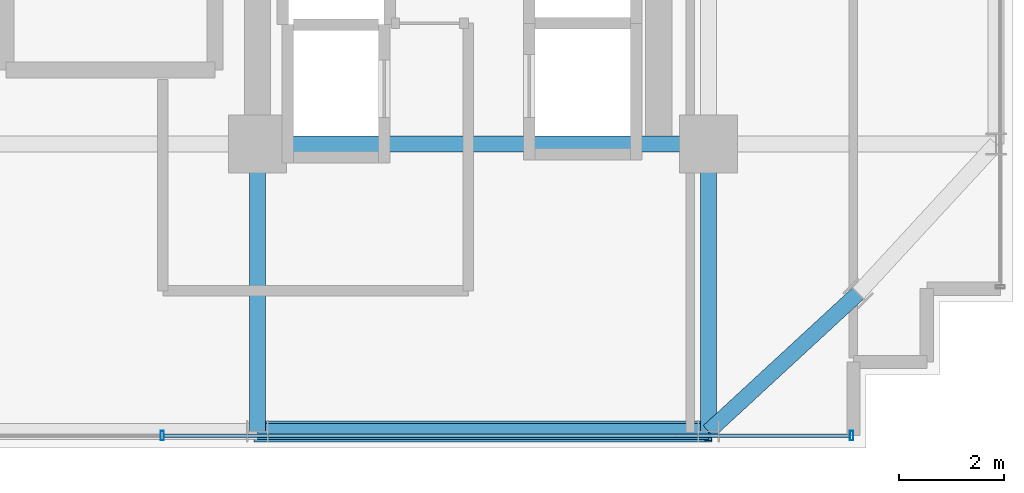
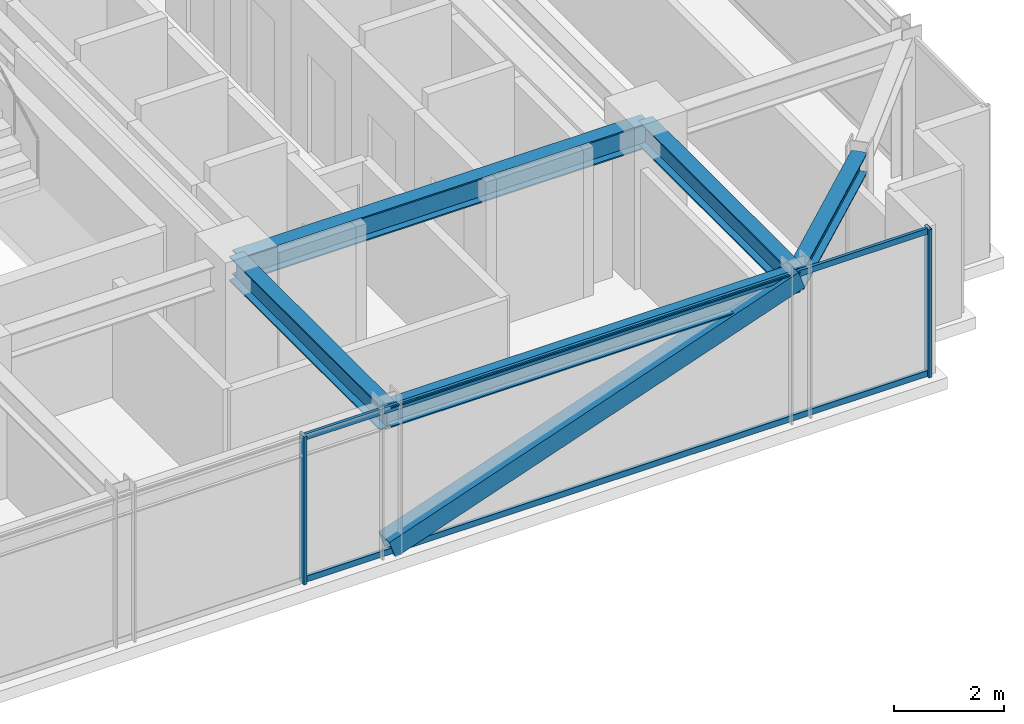
# One storey, part 10 of 32: 5 beams, 5 members, 1 element without a shape of its own.
"""IFC4 building model written with IfcOpenShell, lengths in metres."""

from ifc_helpers import new_model, si_unit, direction, frame, origin, origin_2d, place, context, subcontext, project, spatial, hollow_rectangle, i_section, extrude, source, transform, mapped, material, material_profile, profile_set, type_object, element, aggregate, save


model = new_model("IFC4")

# Units and contexts
model_context = context("Model", 3, precision=1e-05, world=origin(), true_north=direction((0.0, 1.0)))
body_context = subcontext(model_context, "Body", "Model", "MODEL_VIEW")
ifc_project = project(units=[si_unit("LENGTHUNIT", "METRE"), si_unit("AREAUNIT", "SQUARE_METRE"), si_unit("VOLUMEUNIT", "CUBIC_METRE"), si_unit("PLANEANGLEUNIT", "RADIAN"), si_unit("MASSUNIT", "GRAM", prefix="KILO")], contexts=[model_context])

# Site, building, storey
site_placement = place(None, origin())
site = spatial("IfcSite", under=ifc_project, at=site_placement, CompositionType="ELEMENT")
building_placement = place(site_placement, origin())
building = spatial("IfcBuilding", under=site, at=building_placement, Name="Nahalor Promenade Grand Hotel", CompositionType="ELEMENT")
storey_placement = place(building_placement, frame((0.0, 0.0, 196.449951171875)))
storey = spatial("IfcBuildingStorey", under=building, at=storey_placement, Name="L50", CompositionType="ELEMENT", Elevation=196.449951171875)

# Beams
ifc_material_1 = material(Name="Steel S355JR", Category="steel")
ifc_material_profile_1 = material_profile(ifc_material_1, i_section(OverallWidth=0.3, OverallDepth=0.55, WebThickness=0.015, FlangeThickness=0.029, at=origin_2d()), Name="HEB 550")
ifc_profile_set_1 = profile_set([ifc_material_profile_1], Name="Steel S355JR")
beam_type_1 = type_object("IfcBeamType", Name="Beam-Girder-HEB550", PredefinedType="BEAM", material=ifc_profile_set_1)
shared_shape_1 = source(origin(), body_context, "Body", "SweptSolid", [
    extrude(i_section(OverallWidth=0.3, OverallDepth=0.55, WebThickness=0.015, FlangeThickness=0.029, at=origin_2d()), origin(), (0.0, 0.0, 1.0), 8.60009765625),
])
beam_1_placement = place(storey_placement, frame((8.39990234375, -17.0, 3.01513671875), z_axis=(1.0, 0.0, 0.0), x_axis=(0.0, 1.0, 0.0)))
element("IfcBeam", 1, at=beam_1_placement, inside=storey, type_object=beam_type_1, Name="BM-L50-GX-0-5", PredefinedType="BEAM", context=body_context, shape_type="MappedRepresentation", body=[
    mapped(shared_shape_1, transform((0.0, 0.0, 0.0), scale=1.0)),
])
shared_shape_2 = source(origin(), body_context, "Body", "SweptSolid", [
    extrude(i_section(OverallWidth=0.3, OverallDepth=0.55, WebThickness=0.015, FlangeThickness=0.029, at=origin_2d()), origin(), (0.0, 0.0, 1.0), 5.47998046875),
])
for number, where, z_axis, x_axis, name in (
    (2, (8.39990234375, -22.47998046875, 3.01513671875), (0.0, 1.0, 0.0), (-1.0, 0.0, 0.0), "BM-L50-GY-4-0"),
    (3, (17.0, -22.47998046875, 3.01513671875), (0.0, 1.0, 0.0), (-1.0, 0.0, 0.0), "BM-L50-GY-5-0"),
):
    element("IfcBeam", number, at=place(storey_placement, frame(where, z_axis=z_axis, x_axis=x_axis)), inside=storey, type_object=beam_type_1, Name=name, PredefinedType="BEAM", context=body_context, shape_type="MappedRepresentation", body=[
        mapped(shared_shape_2, transform((0.0, 0.0, 0.0), scale=1.0)),
    ])
ifc_material_profile_2 = material_profile(ifc_material_1, i_section(OverallWidth=0.3, OverallDepth=0.45, WebThickness=0.014, FlangeThickness=0.026, at=origin_2d()), Name="HEB 450")
ifc_profile_set_2 = profile_set([ifc_material_profile_2], Name="Steel S355JR")
beam_type_2 = type_object("IfcBeamType", Name="Beam-Spandrel-HEB450", PredefinedType="SPANDREL", material=ifc_profile_set_2)
shared_shape_3 = source(origin(), body_context, "Body", "SweptSolid", [
    extrude(i_section(OverallWidth=0.3, OverallDepth=0.45, WebThickness=0.014, FlangeThickness=0.026, at=origin_2d()), origin(), (0.0, 0.0, 1.0), 8.60009765625),
])
beam_2_placement = place(storey_placement, frame((8.39990234375, -22.47998046875, 3.06494140625), z_axis=(1.0, 0.0, 0.0), x_axis=(0.0, 1.0, 0.0)))
element("IfcBeam", 4, at=beam_2_placement, inside=storey, type_object=beam_type_2, Name="BM-L50-SP-S-4", PredefinedType="SPANDREL", context=body_context, shape_type="MappedRepresentation", body=[
    mapped(shared_shape_3, transform((0.0, 0.0, 0.0), scale=1.0)),
])
shared_shape_4 = source(origin(), body_context, "Body", "SweptSolid", [
    extrude(i_section(OverallWidth=0.3, OverallDepth=0.45, WebThickness=0.014, FlangeThickness=0.026, at=origin_2d()), origin(), (0.0, 0.0, 1.0), 3.878173828125),
])
beam_3_placement = place(storey_placement, frame((17.0, -22.47998046875, 3.06494140625), z_axis=(0.73492893846, 0.678144125843, 0.0), x_axis=(-0.678144125843, 0.73492893846, 0.0)))
element("IfcBeam", 5, at=beam_3_placement, inside=storey, type_object=beam_type_2, Name="BM-L50-SPC-SE-1", PredefinedType="SPANDREL", context=body_context, shape_type="MappedRepresentation", body=[
    mapped(shared_shape_4, transform((0.0, 0.0, 0.0), scale=1.0)),
])

# Member
ifc_material_profile_3 = material_profile(ifc_material_1, hollow_rectangle(XDim=0.4, YDim=0.4, WallThickness=0.022, at=origin_2d()), Name="SHS 400x400x22")
ifc_profile_set_3 = profile_set([ifc_material_profile_3], Name="Steel S355JR")
member_type_1 = type_object("IfcMemberType", Name="Mem-ExoBrace-SHS400", PredefinedType="BRACE", material=ifc_profile_set_3)
shared_shape_5 = source(origin(), body_context, "Body", "SweptSolid", [
    extrude(hollow_rectangle(XDim=0.4, YDim=0.4, WallThickness=0.022, at=origin_2d()), origin(), (0.0, 0.0, 1.0), 9.10498046875),
])
member_1_placement = place(storey_placement, frame((8.39990234375, -22.47998046875, 0.150146484375), z_axis=(0.944542728138, 0.0, 0.328388542313), x_axis=(0.0, 1.0, 0.0)))
element("IfcMember", 6, at=member_1_placement, inside=storey, type_object=member_type_1, Name="EXO-L50-S-1", PredefinedType="BRACE", context=body_context, shape_type="MappedRepresentation", body=[
    mapped(shared_shape_5, transform((0.0, 0.0, 0.0), scale=1.0)),
])

# Curtain wall, members
ifc_material_2 = material(Name="Anodised Bronze Aluminium EN AW-6063 T6", Category="aluminium")
curtain_wall_type = type_object("IfcCurtainWallType", Name="CW2 Typical Hotel Flush Bronze Unitised Curtain Wall", PredefinedType="USERDEFINED", material=ifc_material_2)
curtain_wall_placement = place(storey_placement, origin())
curtain_wall = element("IfcCurtainWall", 7, at=curtain_wall_placement, inside=storey, type_object=curtain_wall_type, Name="L50 Curtain Wall CW-L50-S-1", ObjectType="UNITISED_CURTAIN_WALL", PredefinedType="USERDEFINED")
ifc_material_profile_4 = material_profile(ifc_material_2, hollow_rectangle(XDim=0.065, YDim=0.13, WallThickness=0.004, at=origin_2d()), Name="CWT 65x130x4")
ifc_profile_set_4 = profile_set([ifc_material_profile_4], Name="Anodised Bronze Aluminium EN AW-6063 T6")
member_type_2 = type_object("IfcMemberType", Name="CWT2 Typical Bronze Transom 65x130", PredefinedType="USERDEFINED", material=ifc_profile_set_4)
shared_shape_6 = source(origin(), body_context, "Body", "SweptSolid", [
    extrude(hollow_rectangle(XDim=0.065, YDim=0.13, WallThickness=0.004, at=origin_2d()), origin(), (0.0, 0.0, 1.0), 13.075927734375),
])
member_2_placement = place(storey_placement, frame((6.619140625, -22.56005859375, 0.06494140625), z_axis=(1.0, 0.0, 0.0), x_axis=(0.0, 1.0, 0.0)))
member_2 = element("IfcMember", 8, at=member_2_placement, type_object=member_type_2, Name="CW-L50-S-1 Transom 2-0", ObjectType="TRANSOM", PredefinedType="USERDEFINED", context=body_context, shape_type="MappedRepresentation", body=[
    mapped(shared_shape_6, transform((0.0, 0.0, 0.0), scale=1.0)),
])
member_3_placement = place(storey_placement, frame((6.619140625, -22.56005859375, 3.22509765625), z_axis=(1.0, 0.0, 0.0), x_axis=(0.0, 1.0, 0.0)))
member_3 = element("IfcMember", 9, at=member_3_placement, type_object=member_type_2, Name="CW-L50-S-1 Transom 2-1", ObjectType="TRANSOM", PredefinedType="USERDEFINED", context=body_context, shape_type="MappedRepresentation", body=[
    mapped(shared_shape_6, transform((0.0, 0.0, 0.0), scale=1.0)),
])
ifc_material_profile_5 = material_profile(ifc_material_2, hollow_rectangle(XDim=0.065, YDim=0.18, WallThickness=0.004, at=origin_2d()), Name="CWM 65x180x4")
ifc_profile_set_5 = profile_set([ifc_material_profile_5], Name="Anodised Bronze Aluminium EN AW-6063 T6")
member_type_3 = type_object("IfcMemberType", Name="CWM2 Typical Bronze Mullion 65x180", PredefinedType="MULLION", material=ifc_profile_set_5)
shared_shape_7 = source(origin(), body_context, "Body", "SweptSolid", [
    extrude(hollow_rectangle(XDim=0.065, YDim=0.18, WallThickness=0.004, at=origin_2d()), origin(), (0.0, 0.0, 1.0), 3.2900390625),
])
member_4_placement = place(storey_placement, frame((6.586669921875, -22.56005859375, 0.0), z_axis=(0.0, 0.0, 1.0), x_axis=(1.0, 0.0, 0.0)))
member_4 = element("IfcMember", 10, at=member_4_placement, type_object=member_type_3, Name="CW-L50-S-1 Mullion 2", PredefinedType="MULLION", context=body_context, shape_type="MappedRepresentation", body=[
    mapped(shared_shape_7, transform((0.0, 0.0, 0.0), scale=1.0)),
])
member_5_placement = place(storey_placement, frame((19.7275390625, -22.56005859375, 0.0), z_axis=(0.0, 0.0, 1.0), x_axis=(1.0, 0.0, 0.0)))
member_5 = element("IfcMember", 11, at=member_5_placement, type_object=member_type_3, Name="CW-L50-S-1 Mullion 3", PredefinedType="MULLION", context=body_context, shape_type="MappedRepresentation", body=[
    mapped(shared_shape_7, transform((0.0, 0.0, 0.0), scale=1.0)),
])
aggregate(curtain_wall, [member_4, member_5, member_2, member_3])

save(model, "model.ifc")
